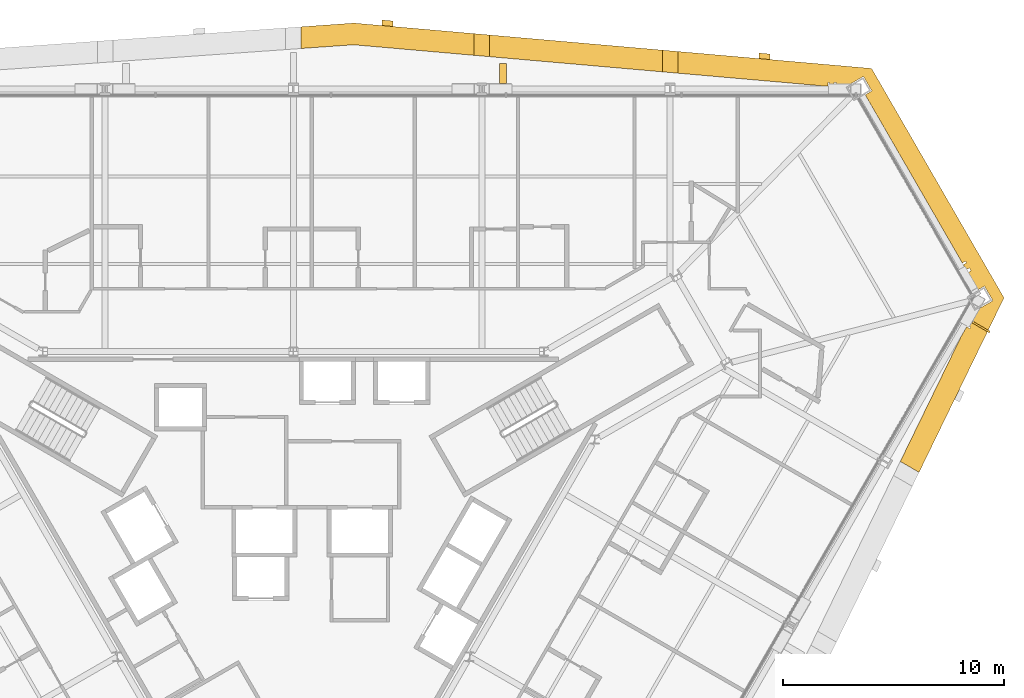
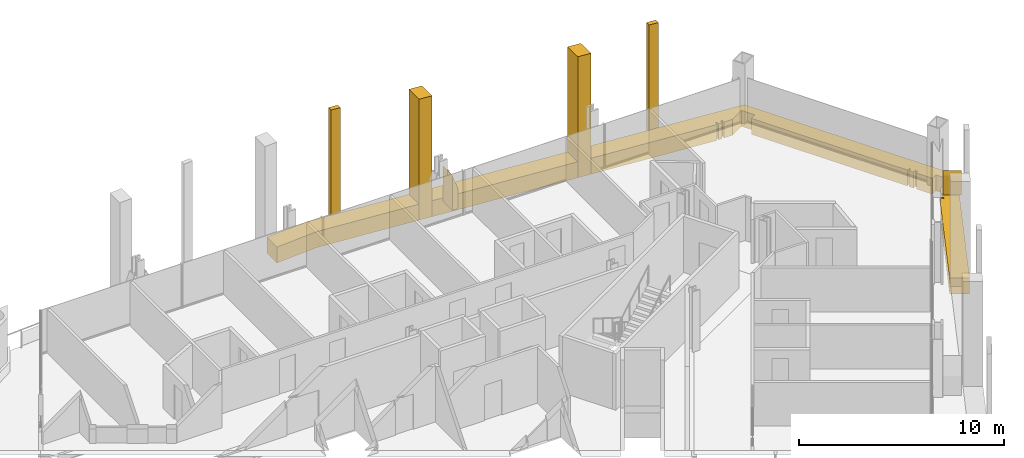
# One storey, part 19 of 19: 9 coverings.
"""IFC4 building model written with IfcOpenShell, lengths in metres."""

from ifc_helpers import new_model, si_unit, direction, frame, origin, place, context, subcontext, project, spatial, polyline, outline, extrude, material, layer, layer_set, type_object, element, save


model = new_model("IFC4")

# Units and contexts
model_context = context("Model", 3, precision=1e-05, world=origin(), true_north=direction((0.0, 1.0)))
body_context = subcontext(model_context, "Body", "Model", "MODEL_VIEW")
ifc_project = project(units=[si_unit("LENGTHUNIT", "METRE"), si_unit("AREAUNIT", "SQUARE_METRE"), si_unit("VOLUMEUNIT", "CUBIC_METRE"), si_unit("PLANEANGLEUNIT", "RADIAN"), si_unit("MASSUNIT", "GRAM", prefix="KILO")], contexts=[model_context])

# Site, building, storey
site_placement = place(None, origin())
site = spatial("IfcSite", under=ifc_project, at=site_placement, CompositionType="ELEMENT")
building_placement = place(site_placement, origin())
building = spatial("IfcBuilding", under=site, at=building_placement, Name="Verrane Prism Tower", CompositionType="ELEMENT")
storey_placement = place(building_placement, frame((0.0, 0.0, 58.39990234375)))
storey = spatial("IfcBuildingStorey", under=building, at=storey_placement, Name="L12", CompositionType="ELEMENT", Elevation=58.39990234375)

# Coverings
ifc_material_1 = material(Name="Warm limestone cladding", Category="masonry")
ifc_layer_1 = layer(ifc_material_1, 0.89990234375)
ifc_layer_set_1 = layer_set([ifc_layer_1], Name="Stone brace fin 900")
covering_type_1 = type_object("IfcCoveringType", Name="Stone brace fin 900", PredefinedType="CLADDING", material=ifc_layer_set_1)
covering_1_placement = place(storey_placement, frame((9.6357421875, 21.77392578125, 0.0), z_axis=(0.0, 0.0, 1.0), x_axis=(-1.0, 0.0, 0.0)))
element("IfcCovering", 1, at=covering_1_placement, inside=storey, type_object=covering_type_1, Name="Stone brace fin N2 L12", PredefinedType="CLADDING", context=body_context, shape_type="SweptSolid", body=[
    extrude(outline(polyline([(0.0, 0.0), (0.31689453125, 0.0), (0.31689453125, 2.102294921875), (0.0, 1.163818359375), (0.0, 0.0)])), frame((0.0, 0.449951171875, 0.0), z_axis=(0.0, -1.0, 0.0), x_axis=(1.0, 0.0, 0.0)), (0.0, 0.0, 1.0), 0.89990234375),
])
covering_2_placement = place(storey_placement, frame((31.071044921875, 10.271484375, 0.0), z_axis=(0.0, 0.0, 1.0), x_axis=(0.501498622827, 0.865158442889, 0.0)))
element("IfcCovering", 2, at=covering_2_placement, inside=storey, type_object=covering_type_1, Name="Stone brace fin SE6 L12", PredefinedType="CLADDING", context=body_context, shape_type="SweptSolid", body=[
    extrude(outline(polyline([(0.0, 0.0), (0.08349609375, 0.0), (0.08349609375, 1.41064453125), (0.0, 1.16357421875), (0.0, 0.0)])), frame((0.0, 0.449951171875, 0.0), z_axis=(0.0, -1.0, 0.0), x_axis=(1.0, 0.0, 0.0)), (0.0, 0.0, 1.0), 0.89990234375),
])
ifc_material_2 = material(Name="Warm limestone cladding", Category="masonry")
covering_type_2 = type_object("IfcCoveringType", Name="Stone mullion pier 500", PredefinedType="CLADDING", material=ifc_material_2)
covering_3_placement = place(storey_placement, frame((0.0, 0.0, -0.949951171875)))
element("IfcCovering", 3, at=covering_3_placement, inside=storey, type_object=covering_type_2, Name="Stone pier SM-N0.1 L12-L13", PredefinedType="CLADDING", context=body_context, shape_type="SweptSolid", body=[
    extrude(outline(polyline([(21.040283203125, 22.447021484375), (21.540283203125, 22.403076171875), (21.540283203125, 22.654052734375), (21.040283203125, 22.69775390625), (21.040283203125, 22.447021484375)])), origin(), (0.0, 0.0, 1.0), 7.199951171875),
])
covering_4_placement = place(storey_placement, frame((0.0, 0.0, -0.949951171875)))
element("IfcCovering", 4, at=covering_4_placement, inside=storey, type_object=covering_type_2, Name="Stone pier SM-N2.1 L12-L13", PredefinedType="CLADDING", context=body_context, shape_type="SweptSolid", body=[
    extrude(outline(polyline([(4.008056640625, 23.939453125), (4.508056640625, 23.8955078125), (4.508056640625, 24.146484375), (4.008056640625, 24.1904296875), (4.008056640625, 23.939453125)])), origin(), (0.0, 0.0, 1.0), 7.199951171875),
])
ifc_material_3 = material(Name="Warm limestone cladding", Category="masonry")
covering_type_3 = type_object("IfcCoveringType", Name="Stone pier 700", PredefinedType="CLADDING", material=ifc_material_3)
covering_5_placement = place(storey_placement, frame((0.0, 0.0, -0.949951171875)))
element("IfcCovering", 5, at=covering_5_placement, inside=storey, type_object=covering_type_3, Name="Stone pier PC-N1 L12-L13", PredefinedType="CLADDING", context=body_context, shape_type="SweptSolid", body=[
    extrude(outline(polyline([(16.68212890625, 22.828857421875), (16.68212890625, 21.846923828125), (17.382080078125, 21.78564453125), (17.382080078125, 22.767333984375), (16.68212890625, 22.828857421875)])), origin(), (0.0, 0.0, 1.0), 7.199951171875),
])
covering_6_placement = place(storey_placement, frame((0.0, 0.0, -0.949951171875)))
element("IfcCovering", 6, at=covering_6_placement, inside=storey, type_object=covering_type_3, Name="Stone pier PC-N2 L12-L13", PredefinedType="CLADDING", context=body_context, shape_type="SweptSolid", body=[
    extrude(outline(polyline([(8.166015625, 23.5751953125), (8.166015625, 22.59326171875), (8.8662109375, 22.531982421875), (8.8662109375, 23.513671875), (8.166015625, 23.5751953125)])), origin(), (0.0, 0.0, 1.0), 7.199951171875),
])
ifc_material_4 = material(Name="Warm limestone cladding", Category="masonry")
ifc_layer_2 = layer(ifc_material_4, 0.449951171875)
ifc_layer_set_2 = layer_set([ifc_layer_2], Name="Stone spandrel band 450")
covering_type_4 = type_object("IfcCoveringType", Name="Stone spandrel band 450", PredefinedType="CLADDING", material=ifc_layer_set_2)
covering_7_placement = place(storey_placement, frame((0.0, 0.0, -0.949951171875)))
element("IfcCovering", 7, at=covering_7_placement, inside=storey, type_object=covering_type_4, Name="Stone spandrel band L12 part 2", PredefinedType="CLADDING", context=body_context, shape_type="SweptSolid", body=[
    extrude(outline(polyline([(26.140869140625, 22.0), (17.382080078125, 22.767333984375), (17.382080078125, 21.78564453125), (24.026611328125, 21.203369140625), (24.159912109375, 21.203369140625), (24.159912109375, 21.3701171875), (24.23291015625, 21.3701171875), (24.23291015625, 21.203369140625), (24.432861328125, 21.203369140625), (24.432861328125, 21.3701171875), (24.548583984375, 21.3701171875), (24.548583984375, 21.203369140625), (25.02099609375, 21.203369140625), (25.775634765625, 21.63916015625), (26.15576171875, 20.98095703125), (25.854248046875, 20.806884765625), (30.244873046875, 13.201904296875), (30.388427734375, 13.284912109375), (30.43359375, 13.20654296875), (30.2900390625, 13.123779296875), (30.419677734375, 12.899169921875), (30.563232421875, 12.98193359375), (30.63818359375, 12.85205078125), (30.49462890625, 12.769287109375), (30.94677734375, 11.986572265625), (31.24560546875, 12.1591796875), (31.625732421875, 11.5009765625), (30.87255859375, 11.06591796875), (30.635986328125, 10.656494140625), (30.779052734375, 10.57373046875), (30.72119140625, 10.4736328125), (30.578125, 10.556396484375), (30.478271484375, 10.383056640625), (30.62109375, 10.300537109375), (30.584716796875, 10.2373046875), (30.44189453125, 10.320068359375), (30.194091796875, 9.89111328125), (27.4384765625, 4.2294921875), (28.28759765625, 3.7392578125), (32.128173828125, 11.629638671875), (26.140869140625, 22.0)])), origin(), (0.0, 0.0, 1.0), 0.949951171875),
])
covering_8_placement = place(storey_placement, frame((0.0, 0.0, -0.949951171875)))
element("IfcCovering", 8, at=covering_8_placement, inside=storey, type_object=covering_type_4, Name="Stone spandrel band L12 part 9", PredefinedType="CLADDING", context=body_context, shape_type="SweptSolid", body=[
    extrude(outline(polyline([(16.68212890625, 21.846923828125), (16.68212890625, 22.828857421875), (8.8662109375, 23.513671875), (8.8662109375, 22.531982421875), (16.68212890625, 21.846923828125)])), origin(), (0.0, 0.0, 1.0), 0.949951171875),
])
covering_9_placement = place(storey_placement, frame((0.0, 0.0, -0.949951171875)))
element("IfcCovering", 9, at=covering_9_placement, inside=storey, type_object=covering_type_4, Name="Stone spandrel band L12 part 10", PredefinedType="CLADDING", context=body_context, shape_type="SweptSolid", body=[
    extrude(outline(polyline([(8.166015625, 22.59326171875), (8.166015625, 23.5751953125), (2.7333984375, 24.051025390625), (0.35009765625, 23.882568359375), (0.35009765625, 22.902099609375), (2.72509765625, 23.070068359375), (8.166015625, 22.59326171875)])), origin(), (0.0, 0.0, 1.0), 0.949951171875),
])

save(model, "model.ifc")
